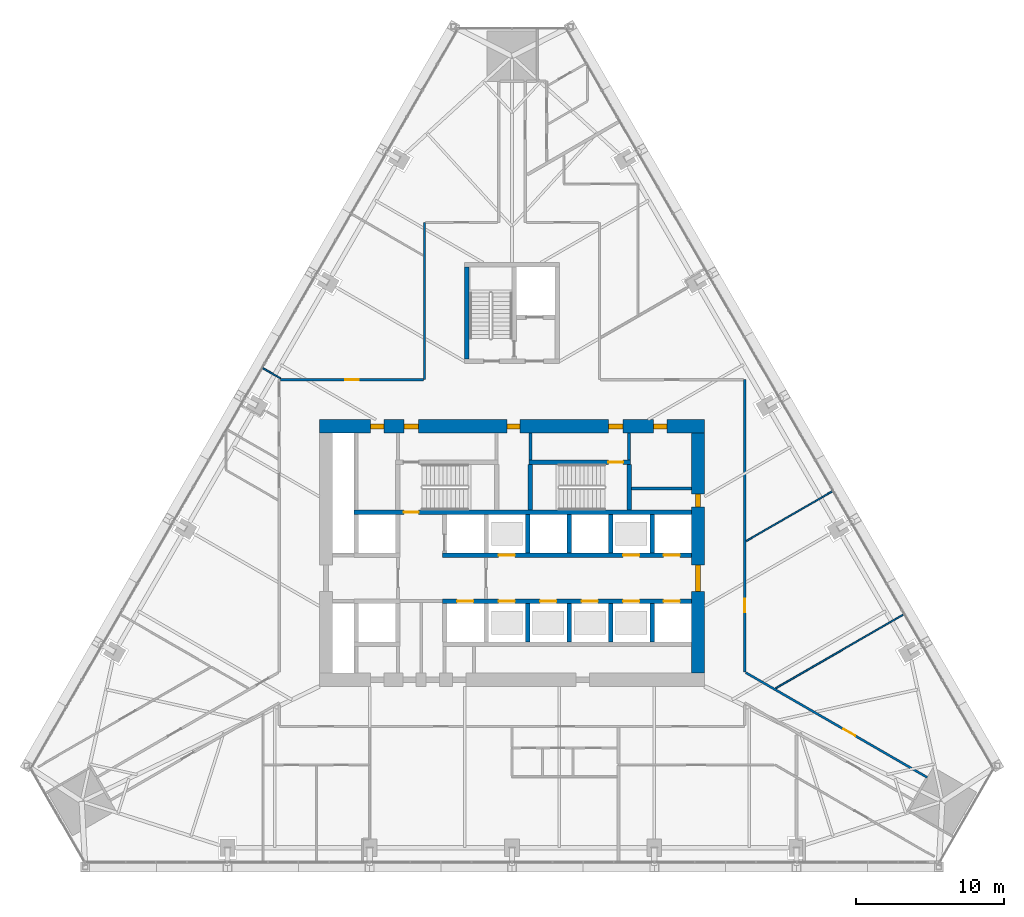
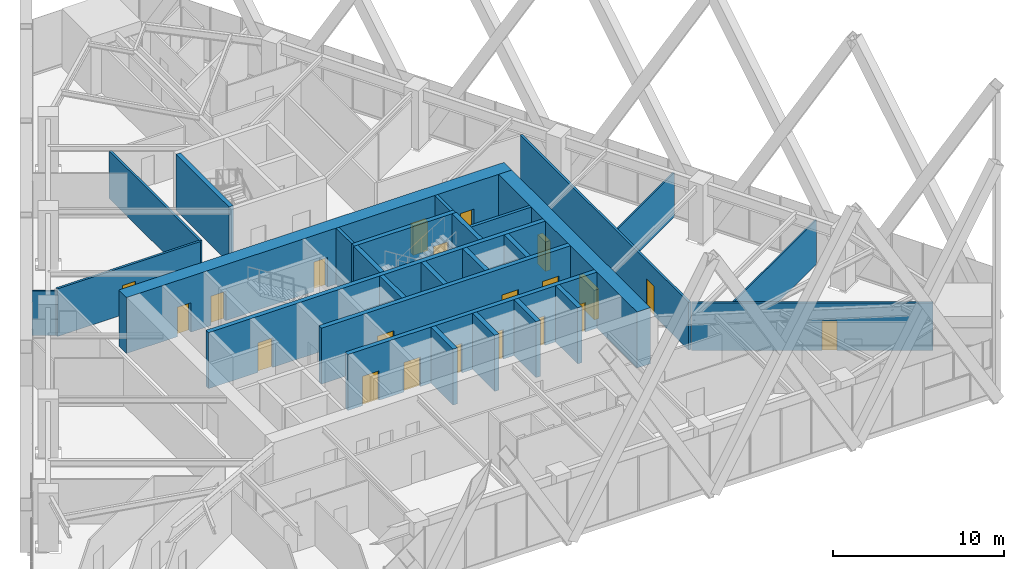
# One storey, part 19 of 26: 27 walls, 21 doors, 21 openings.
"""IFC4 building model written with IfcOpenShell, lengths in metres."""

from ifc_helpers import new_model, si_unit, direction, frame, frame_2d, origin, place, context, subcontext, project, spatial, rectangle, extrude, material, layer, layer_set, type_object, element, fill, save


model = new_model("IFC4")

# Units and contexts
model_context = context("Model", 3, precision=1e-05, world=origin(), true_north=direction((0.0, 1.0)))
body_context = subcontext(model_context, "Body", "Model", "MODEL_VIEW")
ifc_project = project(units=[si_unit("LENGTHUNIT", "METRE"), si_unit("AREAUNIT", "SQUARE_METRE"), si_unit("VOLUMEUNIT", "CUBIC_METRE"), si_unit("PLANEANGLEUNIT", "RADIAN"), si_unit("MASSUNIT", "GRAM", prefix="KILO")], contexts=[model_context])

# Site, building, storey
site_placement = place(None, origin())
site = spatial("IfcSite", under=ifc_project, at=site_placement, CompositionType="ELEMENT")
building_placement = place(site_placement, origin())
building = spatial("IfcBuilding", under=site, at=building_placement, Name="Firuza Gate Tower and Library", CompositionType="ELEMENT")
storey_placement = place(building_placement, frame((0.0, 0.0, 40.0)))
storey = spatial("IfcBuildingStorey", under=building, at=storey_placement, Name="L08", CompositionType="ELEMENT", Elevation=40.0)

# Walls
ifc_material_1 = material(Name="Plasterboard on steel studs", Category="steel")
ifc_layer_1 = layer(ifc_material_1, 0.199951171875)
ifc_layer_set_1 = layer_set([ifc_layer_1], Name="Core partition 200 EI 120")
wall_type_1 = type_object("IfcWallType", Name="Core partition 200 EI 120", PredefinedType="PARTITIONING", material=ifc_layer_set_1)
wall_1_placement = place(storey_placement, frame((83.050048828125, 79.35498046875, 0.0), z_axis=(0.0, 0.0, 1.0), x_axis=(1.0, 0.0, 0.0)))
element("IfcWall", 1, at=wall_1_placement, inside=storey, type_object=wall_type_1, Name="Core partition L08 4", PredefinedType="PARTITIONING", context=body_context, shape_type="SweptSolid", body=[
    extrude(rectangle(XDim=4.050048828125, YDim=0.199951171875, at=frame_2d((2.02490234375, 0.0))), origin(), (0.0, 0.0, 1.0), 4.0),
])
for number, where, z_axis, x_axis, name in (
    (2, (76.239990234375, 81.280029296875, 0.0), (0.0, 0.0, 1.0), (0.0, 1.0, 0.0), "Core partition L08 15"),
    (3, (82.89990234375, 81.280029296875, 0.0), (0.0, 0.0, 1.0), (0.0, 1.0, 0.0), "Core partition L08 16"),
):
    element("IfcWall", number, at=place(storey_placement, frame(where, z_axis=z_axis, x_axis=x_axis)), inside=storey, type_object=wall_type_1, Name=name, PredefinedType="PARTITIONING", context=body_context, shape_type="SweptSolid", body=[
        extrude(rectangle(XDim=1.820068359375, YDim=0.199951171875, at=frame_2d((0.91015625, 0.0))), origin(), (0.0, 0.0, 1.0), 4.0),
    ])

# Wall, openings, doors
ifc_material_2 = material(Name="Concrete C80/95", Category="concrete")
ifc_layer_2 = layer(ifc_material_2, 0.300048828125)
ifc_layer_set_2 = layer_set([ifc_layer_2], Name="Core wall 300 C80/95")
wall_type_2 = type_object("IfcWallType", Name="Core wall 300 C80/95", PredefinedType="SHEAR", material=ifc_layer_set_2)
wall_2_placement = place(storey_placement, frame((70.300048828125, 71.75, 0.0), z_axis=(0.0, 0.0, 1.0), x_axis=(1.0, 0.0, 0.0)))
wall_2 = element("IfcWall", 4, at=wall_2_placement, inside=storey, type_object=wall_type_2, Name="Core wall L08 8", PredefinedType="SHEAR", context=body_context, shape_type="SweptSolid", body=[
    extrude(rectangle(XDim=16.800048828125, YDim=0.300048828125, at=frame_2d((8.39990234375, 0.0))), origin(), (0.0, 0.0, 1.0), 4.0),
])
opening_1_placement = place(wall_2_placement, frame((1.0, 0.0, 0.0)))
opening_1 = element("IfcOpeningElement", 5, at=opening_1_placement, cuts=wall_2, Name="Opening LD-FF1-L08", PredefinedType="OPENING", context=body_context, shape_type="SweptSolid", body=[
    extrude(rectangle(XDim=1.10009765625, YDim=2.10009765625, at=frame_2d((0.550048828125, 1.050048828125))), frame((0.0, 0.16015625, 0.0), z_axis=(0.0, -1.0, 0.0), x_axis=(1.0, 0.0, 0.0)), (0.0, 0.0, 1.0), 0.320068359375),
])
opening_2_placement = place(wall_2_placement, frame((3.800048828125, 0.0, 0.0)))
opening_2 = element("IfcOpeningElement", 6, at=opening_2_placement, cuts=wall_2, Name="Opening LD-LR1-L08", PredefinedType="OPENING", context=body_context, shape_type="SweptSolid", body=[
    extrude(rectangle(XDim=1.10009765625, YDim=2.10009765625, at=frame_2d((0.550048828125, 1.050048828125))), frame((0.0, 0.16015625, 0.0), z_axis=(0.0, -1.0, 0.0), x_axis=(1.0, 0.0, 0.0)), (0.0, 0.0, 1.0), 0.320068359375),
])
opening_3_placement = place(wall_2_placement, frame((6.60009765625, 0.0, 0.0)))
opening_3 = element("IfcOpeningElement", 7, at=opening_3_placement, cuts=wall_2, Name="Opening LD-LR2-L08", PredefinedType="OPENING", context=body_context, shape_type="SweptSolid", body=[
    extrude(rectangle(XDim=1.10009765625, YDim=2.10009765625, at=frame_2d((0.550048828125, 1.050048828125))), frame((0.0, 0.16015625, 0.0), z_axis=(0.0, -1.0, 0.0), x_axis=(1.0, 0.0, 0.0)), (0.0, 0.0, 1.0), 0.320068359375),
])
opening_4_placement = place(wall_2_placement, frame((9.39990234375, 0.0, 0.0)))
opening_4 = element("IfcOpeningElement", 8, at=opening_4_placement, cuts=wall_2, Name="Opening LD-LR3-L08", PredefinedType="OPENING", context=body_context, shape_type="SweptSolid", body=[
    extrude(rectangle(XDim=1.10009765625, YDim=2.10009765625, at=frame_2d((0.550048828125, 1.050048828125))), frame((0.0, 0.16015625, 0.0), z_axis=(0.0, -1.0, 0.0), x_axis=(1.0, 0.0, 0.0)), (0.0, 0.0, 1.0), 0.320068359375),
])
opening_5_placement = place(wall_2_placement, frame((12.199951171875, 0.0, 0.0)))
opening_5 = element("IfcOpeningElement", 9, at=opening_5_placement, cuts=wall_2, Name="Opening LD-LR5-L08", PredefinedType="OPENING", context=body_context, shape_type="SweptSolid", body=[
    extrude(rectangle(XDim=1.10009765625, YDim=2.10009765625, at=frame_2d((0.550048828125, 1.050048828125))), frame((0.0, 0.16015625, 0.0), z_axis=(0.0, -1.0, 0.0), x_axis=(1.0, 0.0, 0.0)), (0.0, 0.0, 1.0), 0.320068359375),
])
opening_6_placement = place(wall_2_placement, frame((14.925048828125, 0.0, 0.0)))
opening_6 = element("IfcOpeningElement", 10, at=opening_6_placement, cuts=wall_2, Name="Opening LD-LR7-L08", PredefinedType="OPENING", context=body_context, shape_type="SweptSolid", body=[
    extrude(rectangle(XDim=1.10009765625, YDim=2.10009765625, at=frame_2d((0.550048828125, 1.050048828125))), frame((0.0, 0.16015625, 0.0), z_axis=(0.0, -1.0, 0.0), x_axis=(1.0, 0.0, 0.0)), (0.0, 0.0, 1.0), 0.320068359375),
])
ifc_material_3 = material(Name="Stainless steel", Category="steel")
door_type_1 = type_object("IfcDoorType", Name="Lift landing door 1100x2100", OperationType="DOUBLE_DOOR_SLIDING", PredefinedType="DOOR", material=ifc_material_3)
door_1_placement = place(opening_1_placement, origin())
door_1 = element("IfcDoor", 11, at=door_1_placement, inside=storey, type_object=door_type_1, Name="Landing door FF1 L08", OperationType="DOUBLE_DOOR_SLIDING", OverallHeight=2.10009765625, OverallWidth=1.10009765625, PredefinedType="DOOR", context=body_context, shape_type="SweptSolid", body=[
    extrude(rectangle(XDim=1.10009765625, YDim=2.10009765625, at=frame_2d((0.550048828125, 1.050048828125))), frame((0.0, 0.02490234375, 0.0), z_axis=(0.0, -1.0, 0.0), x_axis=(1.0, 0.0, 0.0)), (0.0, 0.0, 1.0), 0.050048828125),
])
fill(opening_1, door_1)
door_2_placement = place(opening_2_placement, origin())
door_2 = element("IfcDoor", 12, at=door_2_placement, inside=storey, type_object=door_type_1, Name="Landing door LR1 L08", OperationType="DOUBLE_DOOR_SLIDING", OverallHeight=2.10009765625, OverallWidth=1.10009765625, PredefinedType="DOOR", context=body_context, shape_type="SweptSolid", body=[
    extrude(rectangle(XDim=1.10009765625, YDim=2.10009765625, at=frame_2d((0.550048828125, 1.050048828125))), frame((0.0, 0.02490234375, 0.0), z_axis=(0.0, -1.0, 0.0), x_axis=(1.0, 0.0, 0.0)), (0.0, 0.0, 1.0), 0.050048828125),
])
fill(opening_2, door_2)
door_3_placement = place(opening_3_placement, origin())
door_3 = element("IfcDoor", 13, at=door_3_placement, inside=storey, type_object=door_type_1, Name="Landing door LR2 L08", OperationType="DOUBLE_DOOR_SLIDING", OverallHeight=2.10009765625, OverallWidth=1.10009765625, PredefinedType="DOOR", context=body_context, shape_type="SweptSolid", body=[
    extrude(rectangle(XDim=1.10009765625, YDim=2.10009765625, at=frame_2d((0.550048828125, 1.050048828125))), frame((0.0, 0.02490234375, 0.0), z_axis=(0.0, -1.0, 0.0), x_axis=(1.0, 0.0, 0.0)), (0.0, 0.0, 1.0), 0.050048828125),
])
fill(opening_3, door_3)
door_4_placement = place(opening_4_placement, origin())
door_4 = element("IfcDoor", 14, at=door_4_placement, inside=storey, type_object=door_type_1, Name="Landing door LR3 L08", OperationType="DOUBLE_DOOR_SLIDING", OverallHeight=2.10009765625, OverallWidth=1.10009765625, PredefinedType="DOOR", context=body_context, shape_type="SweptSolid", body=[
    extrude(rectangle(XDim=1.10009765625, YDim=2.10009765625, at=frame_2d((0.550048828125, 1.050048828125))), frame((0.0, 0.02490234375, 0.0), z_axis=(0.0, -1.0, 0.0), x_axis=(1.0, 0.0, 0.0)), (0.0, 0.0, 1.0), 0.050048828125),
])
fill(opening_4, door_4)
door_5_placement = place(opening_5_placement, origin())
door_5 = element("IfcDoor", 15, at=door_5_placement, inside=storey, type_object=door_type_1, Name="Landing door LR5 L08", OperationType="DOUBLE_DOOR_SLIDING", OverallHeight=2.10009765625, OverallWidth=1.10009765625, PredefinedType="DOOR", context=body_context, shape_type="SweptSolid", body=[
    extrude(rectangle(XDim=1.10009765625, YDim=2.10009765625, at=frame_2d((0.550048828125, 1.050048828125))), frame((0.0, 0.02490234375, 0.0), z_axis=(0.0, -1.0, 0.0), x_axis=(1.0, 0.0, 0.0)), (0.0, 0.0, 1.0), 0.050048828125),
])
fill(opening_5, door_5)
door_6_placement = place(opening_6_placement, origin())
door_6 = element("IfcDoor", 16, at=door_6_placement, inside=storey, type_object=door_type_1, Name="Landing door LR7 L08", OperationType="DOUBLE_DOOR_SLIDING", OverallHeight=2.10009765625, OverallWidth=1.10009765625, PredefinedType="DOOR", context=body_context, shape_type="SweptSolid", body=[
    extrude(rectangle(XDim=1.10009765625, YDim=2.10009765625, at=frame_2d((0.550048828125, 1.050048828125))), frame((0.0, 0.02490234375, 0.0), z_axis=(0.0, -1.0, 0.0), x_axis=(1.0, 0.0, 0.0)), (0.0, 0.0, 1.0), 0.050048828125),
])
fill(opening_6, door_6)

wall_3_placement = place(storey_placement, frame((70.300048828125, 74.85009765625, 0.0), z_axis=(0.0, 0.0, 1.0), x_axis=(1.0, 0.0, 0.0)))
wall_3 = element("IfcWall", 17, at=wall_3_placement, inside=storey, type_object=wall_type_2, Name="Core wall L08 10", PredefinedType="SHEAR", context=body_context, shape_type="SweptSolid", body=[
    extrude(rectangle(XDim=16.800048828125, YDim=0.300048828125, at=frame_2d((8.39990234375, 0.0))), origin(), (0.0, 0.0, 1.0), 4.0),
])
opening_7_placement = place(wall_3_placement, frame((3.800048828125, 0.0, 0.0)))
opening_7 = element("IfcOpeningElement", 18, at=opening_7_placement, cuts=wall_3, Name="Opening LD-LR4-L08", PredefinedType="OPENING", context=body_context, shape_type="SweptSolid", body=[
    extrude(rectangle(XDim=1.10009765625, YDim=2.10009765625, at=frame_2d((0.550048828125, 1.050048828125))), frame((0.0, 0.16015625, 0.0), z_axis=(0.0, -1.0, 0.0), x_axis=(1.0, 0.0, 0.0)), (0.0, 0.0, 1.0), 0.320068359375),
])
opening_8_placement = place(wall_3_placement, frame((12.199951171875, 0.0, 0.0)))
opening_8 = element("IfcOpeningElement", 19, at=opening_8_placement, cuts=wall_3, Name="Opening LD-LR6-L08", PredefinedType="OPENING", context=body_context, shape_type="SweptSolid", body=[
    extrude(rectangle(XDim=1.10009765625, YDim=2.10009765625, at=frame_2d((0.550048828125, 1.050048828125))), frame((0.0, 0.16015625, 0.0), z_axis=(0.0, -1.0, 0.0), x_axis=(1.0, 0.0, 0.0)), (0.0, 0.0, 1.0), 0.320068359375),
])
opening_9_placement = place(wall_3_placement, frame((14.925048828125, 0.0, 0.0)))
opening_9 = element("IfcOpeningElement", 20, at=opening_9_placement, cuts=wall_3, Name="Opening LD-LR8-L08", PredefinedType="OPENING", context=body_context, shape_type="SweptSolid", body=[
    extrude(rectangle(XDim=1.10009765625, YDim=2.10009765625, at=frame_2d((0.550048828125, 1.050048828125))), frame((0.0, 0.16015625, 0.0), z_axis=(0.0, -1.0, 0.0), x_axis=(1.0, 0.0, 0.0)), (0.0, 0.0, 1.0), 0.320068359375),
])
door_7_placement = place(opening_7_placement, origin())
door_7 = element("IfcDoor", 21, at=door_7_placement, inside=storey, type_object=door_type_1, Name="Landing door LR4 L08", OperationType="DOUBLE_DOOR_SLIDING", OverallHeight=2.10009765625, OverallWidth=1.10009765625, PredefinedType="DOOR", context=body_context, shape_type="SweptSolid", body=[
    extrude(rectangle(XDim=1.10009765625, YDim=2.10009765625, at=frame_2d((0.550048828125, 1.050048828125))), frame((0.0, 0.02490234375, 0.0), z_axis=(0.0, -1.0, 0.0), x_axis=(1.0, 0.0, 0.0)), (0.0, 0.0, 1.0), 0.050048828125),
])
fill(opening_7, door_7)
door_8_placement = place(opening_8_placement, origin())
door_8 = element("IfcDoor", 22, at=door_8_placement, inside=storey, type_object=door_type_1, Name="Landing door LR6 L08", OperationType="DOUBLE_DOOR_SLIDING", OverallHeight=2.10009765625, OverallWidth=1.10009765625, PredefinedType="DOOR", context=body_context, shape_type="SweptSolid", body=[
    extrude(rectangle(XDim=1.10009765625, YDim=2.10009765625, at=frame_2d((0.550048828125, 1.050048828125))), frame((0.0, 0.02490234375, 0.0), z_axis=(0.0, -1.0, 0.0), x_axis=(1.0, 0.0, 0.0)), (0.0, 0.0, 1.0), 0.050048828125),
])
fill(opening_8, door_8)
door_9_placement = place(opening_9_placement, origin())
door_9 = element("IfcDoor", 23, at=door_9_placement, inside=storey, type_object=door_type_1, Name="Landing door LR8 L08", OperationType="DOUBLE_DOOR_SLIDING", OverallHeight=2.10009765625, OverallWidth=1.10009765625, PredefinedType="DOOR", context=body_context, shape_type="SweptSolid", body=[
    extrude(rectangle(XDim=1.10009765625, YDim=2.10009765625, at=frame_2d((0.550048828125, 1.050048828125))), frame((0.0, 0.02490234375, 0.0), z_axis=(0.0, -1.0, 0.0), x_axis=(1.0, 0.0, 0.0)), (0.0, 0.0, 1.0), 0.050048828125),
])
fill(opening_9, door_9)

# Walls
for number, where, z_axis, x_axis, name in (
    (24, (76.050048828125, 69.0, 0.0), (0.0, 0.0, 1.0), (0.0, 1.0, 0.0), "Core wall L08 19"),
    (25, (76.050048828125, 75.0, 0.0), (0.0, 0.0, 1.0), (0.0, 1.0, 0.0), "Core wall L08 20"),
    (26, (78.85009765625, 69.0, 0.0), (0.0, 0.0, 1.0), (0.0, 1.0, 0.0), "Core wall L08 21"),
    (27, (78.85009765625, 75.0, 0.0), (0.0, 0.0, 1.0), (0.0, 1.0, 0.0), "Core wall L08 22"),
    (28, (81.64990234375, 69.0, 0.0), (0.0, 0.0, 1.0), (0.0, 1.0, 0.0), "Core wall L08 23"),
    (29, (81.64990234375, 75.0, 0.0), (0.0, 0.0, 1.0), (0.0, 1.0, 0.0), "Core wall L08 24"),
    (30, (84.449951171875, 69.0, 0.0), (0.0, 0.0, 1.0), (0.0, 1.0, 0.0), "Core wall L08 25"),
    (31, (84.449951171875, 75.0, 0.0), (0.0, 0.0, 1.0), (0.0, 1.0, 0.0), "Core wall L08 26"),
):
    element("IfcWall", number, at=place(storey_placement, frame(where, z_axis=z_axis, x_axis=x_axis)), inside=storey, type_object=wall_type_2, Name=name, PredefinedType="SHEAR", context=body_context, shape_type="SweptSolid", body=[
        extrude(rectangle(XDim=2.60009765625, YDim=0.300048828125, at=frame_2d((1.300048828125, 0.0))), origin(), (0.0, 0.0, 1.0), 4.0),
    ])

# Wall, opening, door
wall_4_placement = place(storey_placement, frame((64.35009765625, 77.75, 0.0), z_axis=(0.0, 0.0, 1.0), x_axis=(1.0, 0.0, 0.0)))
wall_4 = element("IfcWall", 32, at=wall_4_placement, inside=storey, type_object=wall_type_2, Name="Core wall L08 27", PredefinedType="SHEAR", context=body_context, shape_type="SweptSolid", body=[
    extrude(rectangle(XDim=22.75, YDim=0.300048828125, at=frame_2d((11.375, 0.0))), origin(), (0.0, 0.0, 1.0), 4.0),
])
opening_10_placement = place(wall_4_placement, frame((3.344970703125, 0.0, 0.0)))
opening_10 = element("IfcOpeningElement", 33, at=opening_10_placement, cuts=wall_4, Name="Opening L08-K12", PredefinedType="OPENING", context=body_context, shape_type="SweptSolid", body=[
    extrude(rectangle(XDim=1.0, YDim=2.10009765625, at=frame_2d((0.5, 1.050048828125))), frame((0.0, 0.16015625, 0.0), z_axis=(0.0, -1.0, 0.0), x_axis=(1.0, 0.0, 0.0)), (0.0, 0.0, 1.0), 0.320068359375),
])
ifc_material_4 = material(Name="Steel", Category="steel")
door_type_2 = type_object("IfcDoorType", Name="Fire door 1000x2100 FD90", OperationType="NOTDEFINED", PredefinedType="DOOR", material=ifc_material_4)
door_10_placement = place(opening_10_placement, origin())
door_10 = element("IfcDoor", 34, at=door_10_placement, inside=storey, type_object=door_type_2, Name="Door L08-K12", OperationType="SINGLE_SWING_LEFT", OverallHeight=2.10009765625, OverallWidth=1.0, PredefinedType="DOOR", context=body_context, shape_type="SweptSolid", body=[
    extrude(rectangle(XDim=1.0, YDim=2.10009765625, at=frame_2d((0.5, 1.050048828125))), frame((0.0, 0.02490234375, 0.0), z_axis=(0.0, -1.0, 0.0), x_axis=(1.0, 0.0, 0.0)), (0.0, 0.0, 1.0), 0.050048828125),
])
fill(opening_10, door_10)

wall_5_placement = place(storey_placement, frame((76.139892578125, 81.1298828125, 0.0), z_axis=(0.0, 0.0, 1.0), x_axis=(1.0, 0.0, 0.0)))
wall_5 = element("IfcWall", 35, at=wall_5_placement, inside=storey, type_object=wall_type_2, Name="Core wall L08 29", PredefinedType="SHEAR", context=body_context, shape_type="SweptSolid", body=[
    extrude(rectangle(XDim=6.860107421875, YDim=0.300048828125, at=frame_2d((3.43017578125, 0.0))), origin(), (0.0, 0.0, 1.0), 4.0),
])
opening_11_placement = place(wall_5_placement, frame((5.364990234375, 0.0, 0.0)))
opening_11 = element("IfcOpeningElement", 36, at=opening_11_placement, cuts=wall_5, Name="Opening L08-K15", PredefinedType="OPENING", context=body_context, shape_type="SweptSolid", body=[
    extrude(rectangle(XDim=1.0, YDim=2.10009765625, at=frame_2d((0.5, 1.050048828125))), frame((0.0, 0.16015625, 0.0), z_axis=(0.0, -1.0, 0.0), x_axis=(1.0, 0.0, 0.0)), (0.0, 0.0, 1.0), 0.320068359375),
])
door_11_placement = place(opening_11_placement, origin())
door_11 = element("IfcDoor", 37, at=door_11_placement, inside=storey, type_object=door_type_2, Name="Door L08-K15", OperationType="SINGLE_SWING_RIGHT", OverallHeight=2.10009765625, OverallWidth=1.0, PredefinedType="DOOR", context=body_context, shape_type="SweptSolid", body=[
    extrude(rectangle(XDim=1.0, YDim=2.10009765625, at=frame_2d((0.5, 1.050048828125))), frame((0.0, 0.02490234375, 0.0), z_axis=(0.0, -1.0, 0.0), x_axis=(1.0, 0.0, 0.0)), (0.0, 0.0, 1.0), 0.050048828125),
])
fill(opening_11, door_11)

# Walls
for number, where, z_axis, x_axis, name in (
    (38, (76.239990234375, 77.89990234375, 0.0), (0.0, 0.0, 1.0), (0.0, 1.0, 0.0), "Core wall L08 32"),
    (39, (82.89990234375, 77.89990234375, 0.0), (0.0, 0.0, 1.0), (0.0, 1.0, 0.0), "Core wall L08 33"),
):
    element("IfcWall", number, at=place(storey_placement, frame(where, z_axis=z_axis, x_axis=x_axis)), inside=storey, type_object=wall_type_2, Name=name, PredefinedType="SHEAR", context=body_context, shape_type="SweptSolid", body=[
        extrude(rectangle(XDim=3.080078125, YDim=0.300048828125, at=frame_2d((1.5400390625, 0.0))), origin(), (0.0, 0.0, 1.0), 4.0),
    ])
wall_6_placement = place(storey_placement, frame((71.949951171875, 88.10009765625, 0.0), z_axis=(0.0, 0.0, 1.0), x_axis=(0.0, 1.0, 0.0)))
element("IfcWall", 40, at=wall_6_placement, inside=storey, type_object=wall_type_2, Name="Core wall L08 36", PredefinedType="SHEAR", context=body_context, shape_type="SweptSolid", body=[
    extrude(rectangle(XDim=6.199951171875, YDim=0.300048828125, at=frame_2d((3.10009765625, 0.0))), origin(), (0.0, 0.0, 1.0), 4.0),
])

# Wall, openings, doors
ifc_material_5 = material(Name="Concrete C80/95", Category="concrete")
ifc_layer_3 = layer(ifc_material_5, 0.89990234375)
ifc_layer_set_3 = layer_set([ifc_layer_3], Name="Core wall 900 C80/95")
wall_type_3 = type_object("IfcWallType", Name="Core wall 900 C80/95", PredefinedType="SHEAR", material=ifc_layer_set_3)
wall_7_placement = place(storey_placement, frame((62.0, 83.550048828125, 0.0), z_axis=(0.0, 0.0, 1.0), x_axis=(1.0, 0.0, 0.0)))
wall_7 = element("IfcWall", 41, at=wall_7_placement, inside=storey, type_object=wall_type_3, Name="Core wall L08 2", PredefinedType="SHEAR", context=body_context, shape_type="SweptSolid", body=[
    extrude(rectangle(XDim=26.0, YDim=0.89990234375, at=frame_2d((13.0, 0.0))), origin(), (0.0, 0.0, 1.0), 4.0),
])
opening_12_placement = place(wall_7_placement, frame((5.695068359375, 0.0, 0.0)))
opening_12 = element("IfcOpeningElement", 42, at=opening_12_placement, cuts=wall_7, Name="Opening L08-K14", PredefinedType="OPENING", context=body_context, shape_type="SweptSolid", body=[
    extrude(rectangle(XDim=1.0, YDim=2.10009765625, at=frame_2d((0.5, 1.050048828125))), frame((0.0, 0.4599609375, 0.0), z_axis=(0.0, -1.0, 0.0), x_axis=(1.0, 0.0, 0.0)), (0.0, 0.0, 1.0), 0.919921875),
])
opening_13_placement = place(wall_7_placement, frame((19.5048828125, 0.0, 0.0)))
opening_13 = element("IfcOpeningElement", 43, at=opening_13_placement, cuts=wall_7, Name="Opening L08-K16", PredefinedType="OPENING", context=body_context, shape_type="SweptSolid", body=[
    extrude(rectangle(XDim=1.0, YDim=2.10009765625, at=frame_2d((0.5, 1.050048828125))), frame((0.0, 0.4599609375, 0.0), z_axis=(0.0, -1.0, 0.0), x_axis=(1.0, 0.0, 0.0)), (0.0, 0.0, 1.0), 0.919921875),
])
opening_14_placement = place(wall_7_placement, frame((3.449951171875, 0.0, 0.0)))
opening_14 = element("IfcOpeningElement", 44, at=opening_14_placement, cuts=wall_7, Name="Opening L08-K29", PredefinedType="OPENING", context=body_context, shape_type="SweptSolid", body=[
    extrude(rectangle(XDim=0.89990234375, YDim=2.10009765625, at=frame_2d((0.449951171875, 1.050048828125))), frame((0.0, 0.4599609375, 0.0), z_axis=(0.0, -1.0, 0.0), x_axis=(1.0, 0.0, 0.0)), (0.0, 0.0, 1.0), 0.919921875),
])
opening_15_placement = place(wall_7_placement, frame((12.64990234375, 0.0, 0.0)))
opening_15 = element("IfcOpeningElement", 45, at=opening_15_placement, cuts=wall_7, Name="Opening L08-K30", PredefinedType="OPENING", context=body_context, shape_type="SweptSolid", body=[
    extrude(rectangle(XDim=0.89990234375, YDim=2.10009765625, at=frame_2d((0.449951171875, 1.050048828125))), frame((0.0, 0.4599609375, 0.0), z_axis=(0.0, -1.0, 0.0), x_axis=(1.0, 0.0, 0.0)), (0.0, 0.0, 1.0), 0.919921875),
])
opening_16_placement = place(wall_7_placement, frame((22.550048828125, 0.0, 0.0)))
opening_16 = element("IfcOpeningElement", 46, at=opening_16_placement, cuts=wall_7, Name="Opening L08-K32", PredefinedType="OPENING", context=body_context, shape_type="SweptSolid", body=[
    extrude(rectangle(XDim=0.89990234375, YDim=2.10009765625, at=frame_2d((0.449951171875, 1.050048828125))), frame((0.0, 0.4599609375, 0.0), z_axis=(0.0, -1.0, 0.0), x_axis=(1.0, 0.0, 0.0)), (0.0, 0.0, 1.0), 0.919921875),
])
door_12_placement = place(opening_12_placement, origin())
door_12 = element("IfcDoor", 47, at=door_12_placement, inside=storey, type_object=door_type_2, Name="Door L08-K14", OperationType="SINGLE_SWING_LEFT", OverallHeight=2.10009765625, OverallWidth=1.0, PredefinedType="DOOR", context=body_context, shape_type="SweptSolid", body=[
    extrude(rectangle(XDim=1.0, YDim=2.10009765625, at=frame_2d((0.5, 1.050048828125))), frame((0.0, 0.169921875, 0.0), z_axis=(0.0, -1.0, 0.0), x_axis=(1.0, 0.0, 0.0)), (0.0, 0.0, 1.0), 0.33984375),
])
fill(opening_12, door_12)
door_13_placement = place(opening_13_placement, origin())
door_13 = element("IfcDoor", 48, at=door_13_placement, inside=storey, type_object=door_type_2, Name="Door L08-K16", OperationType="SINGLE_SWING_LEFT", OverallHeight=2.10009765625, OverallWidth=1.0, PredefinedType="DOOR", context=body_context, shape_type="SweptSolid", body=[
    extrude(rectangle(XDim=1.0, YDim=2.10009765625, at=frame_2d((0.5, 1.050048828125))), frame((0.0, 0.169921875, 0.0), z_axis=(0.0, -1.0, 0.0), x_axis=(1.0, 0.0, 0.0)), (0.0, 0.0, 1.0), 0.33984375),
])
fill(opening_13, door_13)
ifc_material_6 = material(Name="Steel", Category="steel")
door_type_3 = type_object("IfcDoorType", Name="Fire door 900x2100 FD30S", OperationType="NOTDEFINED", PredefinedType="DOOR", material=ifc_material_6)
door_14_placement = place(opening_14_placement, origin())
door_14 = element("IfcDoor", 49, at=door_14_placement, inside=storey, type_object=door_type_3, Name="Door L08-K29", OperationType="SINGLE_SWING_RIGHT", OverallHeight=2.10009765625, OverallWidth=0.89990234375, PredefinedType="DOOR", context=body_context, shape_type="SweptSolid", body=[
    extrude(rectangle(XDim=0.89990234375, YDim=2.10009765625, at=frame_2d((0.449951171875, 1.050048828125))), frame((0.0, 0.169921875, 0.0), z_axis=(0.0, -1.0, 0.0), x_axis=(1.0, 0.0, 0.0)), (0.0, 0.0, 1.0), 0.33984375),
])
fill(opening_14, door_14)
door_15_placement = place(opening_15_placement, origin())
door_15 = element("IfcDoor", 50, at=door_15_placement, inside=storey, type_object=door_type_3, Name="Door L08-K30", OperationType="SINGLE_SWING_LEFT", OverallHeight=2.10009765625, OverallWidth=0.89990234375, PredefinedType="DOOR", context=body_context, shape_type="SweptSolid", body=[
    extrude(rectangle(XDim=0.89990234375, YDim=2.10009765625, at=frame_2d((0.449951171875, 1.050048828125))), frame((0.0, 0.169921875, 0.0), z_axis=(0.0, -1.0, 0.0), x_axis=(1.0, 0.0, 0.0)), (0.0, 0.0, 1.0), 0.33984375),
])
fill(opening_15, door_15)
door_16_placement = place(opening_16_placement, origin())
door_16 = element("IfcDoor", 51, at=door_16_placement, inside=storey, type_object=door_type_3, Name="Door L08-K32", OperationType="SINGLE_SWING_LEFT", OverallHeight=2.10009765625, OverallWidth=0.89990234375, PredefinedType="DOOR", context=body_context, shape_type="SweptSolid", body=[
    extrude(rectangle(XDim=0.89990234375, YDim=2.10009765625, at=frame_2d((0.449951171875, 1.050048828125))), frame((0.0, 0.169921875, 0.0), z_axis=(0.0, -1.0, 0.0), x_axis=(1.0, 0.0, 0.0)), (0.0, 0.0, 1.0), 0.33984375),
])
fill(opening_16, door_16)

wall_8_placement = place(storey_placement, frame((87.550048828125, 66.89990234375, 0.0), z_axis=(0.0, 0.0, 1.0), x_axis=(0.0, 1.0, 0.0)))
wall_8 = element("IfcWall", 52, at=wall_8_placement, inside=storey, type_object=wall_type_3, Name="Core wall L08 4", PredefinedType="SHEAR", context=body_context, shape_type="SweptSolid", body=[
    extrude(rectangle(XDim=16.2001953125, YDim=0.89990234375, at=frame_2d((8.10009765625, 0.0))), origin(), (0.0, 0.0, 1.0), 4.0),
])
opening_17_placement = place(wall_8_placement, frame((5.5, 0.0, 0.0)))
opening_17 = element("IfcOpeningElement", 53, at=opening_17_placement, cuts=wall_8, Name="Opening L08-K23", PredefinedType="OPENING", context=body_context, shape_type="SweptSolid", body=[
    extrude(rectangle(XDim=1.800048828125, YDim=2.10009765625, at=frame_2d((0.89990234375, 1.050048828125))), frame((0.0, 0.4599609375, 0.0), z_axis=(0.0, -1.0, 0.0), x_axis=(1.0, 0.0, 0.0)), (0.0, 0.0, 1.0), 0.919921875),
])
opening_18_placement = place(wall_8_placement, frame((11.202392578125, 0.0, 0.0)))
opening_18 = element("IfcOpeningElement", 54, at=opening_18_placement, cuts=wall_8, Name="Opening L08-K31", PredefinedType="OPENING", context=body_context, shape_type="SweptSolid", body=[
    extrude(rectangle(XDim=0.89990234375, YDim=2.10009765625, at=frame_2d((0.449951171875, 1.050048828125))), frame((0.0, 0.4599609375, 0.0), z_axis=(0.0, -1.0, 0.0), x_axis=(1.0, 0.0, 0.0)), (0.0, 0.0, 1.0), 0.919921875),
])
ifc_material_7 = material(Name="Steel", Category="steel")
door_type_4 = type_object("IfcDoorType", Name="Fire door 1800x2100 FD30S", OperationType="NOTDEFINED", PredefinedType="DOOR", material=ifc_material_7)
door_17_placement = place(opening_17_placement, origin())
door_17 = element("IfcDoor", 55, at=door_17_placement, inside=storey, type_object=door_type_4, Name="Door L08-K23", OperationType="SINGLE_SWING_RIGHT", OverallHeight=2.10009765625, OverallWidth=1.800048828125, PredefinedType="DOOR", context=body_context, shape_type="SweptSolid", body=[
    extrude(rectangle(XDim=1.800048828125, YDim=2.10009765625, at=frame_2d((0.89990234375, 1.050048828125))), frame((0.0, 0.169921875, 0.0), z_axis=(0.0, -1.0, 0.0), x_axis=(1.0, 0.0, 0.0)), (0.0, 0.0, 1.0), 0.33984375),
])
fill(opening_17, door_17)
door_18_placement = place(opening_18_placement, origin())
door_18 = element("IfcDoor", 56, at=door_18_placement, inside=storey, type_object=door_type_3, Name="Door L08-K31", OperationType="SINGLE_SWING_RIGHT", OverallHeight=2.10009765625, OverallWidth=0.89990234375, PredefinedType="DOOR", context=body_context, shape_type="SweptSolid", body=[
    extrude(rectangle(XDim=0.89990234375, YDim=2.10009765625, at=frame_2d((0.449951171875, 1.050048828125))), frame((0.0, 0.169921875, 0.0), z_axis=(0.0, -1.0, 0.0), x_axis=(1.0, 0.0, 0.0)), (0.0, 0.0, 1.0), 0.33984375),
])
fill(opening_18, door_18)

# Wall, opening, door
ifc_material_8 = material(Name="Gypsum board partition")
ifc_layer_4 = layer(ifc_material_8, 0.14990234375)
ifc_layer_set_4 = layer_set([ifc_layer_4], Name="Corridor wall 150 double board on steel studs")
wall_type_4 = type_object("IfcWallType", Name="Corridor wall 150 double board on steel studs", PredefinedType="PARTITIONING", material=ifc_layer_set_4)
wall_9_placement = place(storey_placement, frame((59.37548828125, 86.699951171875, 0.0), z_axis=(0.0, 0.0, 1.0), x_axis=(1.0, 0.0, 0.0)))
wall_9 = element("IfcWall", 57, at=wall_9_placement, inside=storey, type_object=wall_type_4, Name="f:L08:w007", PredefinedType="PARTITIONING", context=body_context, shape_type="SweptSolid", body=[
    extrude(rectangle(XDim=9.6494140625, YDim=0.14990234375, at=frame_2d((4.82470703125, 0.0))), origin(), (0.0, 0.0, 1.0), 3.39990234375),
])
opening_19_placement = place(wall_9_placement, frame((4.374755859375, 0.0, 0.0)))
opening_19 = element("IfcOpeningElement", 58, at=opening_19_placement, cuts=wall_9, Name="Opening L08-11", PredefinedType="OPENING", context=body_context, shape_type="SweptSolid", body=[
    extrude(rectangle(XDim=0.89990234375, YDim=2.10009765625, at=frame_2d((0.449951171875, 1.050048828125))), frame((0.0, 0.0849609375, 0.0), z_axis=(0.0, -1.0, 0.0), x_axis=(1.0, 0.0, 0.0)), (0.0, 0.0, 1.0), 0.169921875),
])
ifc_material_9 = material(Name="Steel door and timber leaf", Category="steel")
door_type_5 = type_object("IfcDoorType", Name="Fire door 900 x 2100 steel frame, timber leaf", OperationType="NOTDEFINED", PredefinedType="DOOR", material=ifc_material_9)
door_19_placement = place(opening_19_placement, origin())
door_19 = element("IfcDoor", 59, at=door_19_placement, inside=storey, type_object=door_type_5, Name="f:L08:d011", OperationType="SINGLE_SWING_RIGHT", OverallHeight=2.10009765625, OverallWidth=0.89990234375, PredefinedType="DOOR", context=body_context, shape_type="SweptSolid", body=[
    extrude(rectangle(XDim=0.89990234375, YDim=2.10009765625, at=frame_2d((0.449951171875, 1.050048828125))), frame((0.0, 0.02490234375, 0.0), z_axis=(0.0, -1.0, 0.0), x_axis=(1.0, 0.0, 0.0)), (0.0, 0.0, 1.0), 0.050048828125),
])
fill(opening_19, door_19)

wall_10_placement = place(storey_placement, frame((90.699951171875, 86.699462890625, 0.0), z_axis=(0.0, 0.0, 1.0), x_axis=(0.0, -1.0, 0.0)))
wall_10 = element("IfcWall", 60, at=wall_10_placement, inside=storey, type_object=wall_type_4, Name="f:L08:w031", PredefinedType="PARTITIONING", context=body_context, shape_type="SweptSolid", body=[
    extrude(rectangle(XDim=19.724609375, YDim=0.14990234375, at=frame_2d((9.8623046875, 0.0))), origin(), (0.0, 0.0, 1.0), 3.39990234375),
])
opening_20_placement = place(wall_10_placement, frame((14.78515625, 0.0, 0.0)))
opening_20 = element("IfcOpeningElement", 61, at=opening_20_placement, cuts=wall_10, Name="Opening L08-21", PredefinedType="OPENING", context=body_context, shape_type="SweptSolid", body=[
    extrude(rectangle(XDim=0.89990234375, YDim=2.10009765625, at=frame_2d((0.449951171875, 1.050048828125))), frame((0.0, 0.0849609375, 0.0), z_axis=(0.0, -1.0, 0.0), x_axis=(1.0, 0.0, 0.0)), (0.0, 0.0, 1.0), 0.169921875),
])
door_20_placement = place(opening_20_placement, origin())
door_20 = element("IfcDoor", 62, at=door_20_placement, inside=storey, type_object=door_type_5, Name="f:L08:d021", OperationType="SINGLE_SWING_RIGHT", OverallHeight=2.10009765625, OverallWidth=0.89990234375, PredefinedType="DOOR", context=body_context, shape_type="SweptSolid", body=[
    extrude(rectangle(XDim=0.89990234375, YDim=2.10009765625, at=frame_2d((0.449951171875, 1.050048828125))), frame((0.0, 0.02490234375, 0.0), z_axis=(0.0, -1.0, 0.0), x_axis=(1.0, 0.0, 0.0)), (0.0, 0.0, 1.0), 0.050048828125),
])
fill(opening_20, door_20)

# Wall
wall_11_placement = place(storey_placement, frame((69.10009765625, 86.699951171875, 0.0), z_axis=(0.0, 0.0, 1.0), x_axis=(0.0, 1.0, 0.0)))
element("IfcWall", 63, at=wall_11_placement, inside=storey, type_object=wall_type_4, Name="f:L08:w044", PredefinedType="PARTITIONING", context=body_context, shape_type="SweptSolid", body=[
    extrude(rectangle(XDim=10.599609375, YDim=0.14990234375, at=frame_2d((5.2998046875, 0.0))), origin(), (0.0, 0.0, 1.0), 3.39990234375),
])

# Wall, opening, door
wall_12_placement = place(storey_placement, frame((90.775146484375, 66.931640625, 0.0), z_axis=(0.0, 0.0, 1.0), x_axis=(0.86602195393, -0.500005975275, 0.0)))
wall_12 = element("IfcWall", 64, at=wall_12_placement, inside=storey, type_object=wall_type_4, Name="f:L08:w056", PredefinedType="PARTITIONING", context=body_context, shape_type="SweptSolid", body=[
    extrude(rectangle(XDim=14.137451171875, YDim=0.14990234375, at=frame_2d((7.06884765625, 0.0))), origin(), (0.0, 0.0, 1.0), 3.39990234375),
])
opening_21_placement = place(wall_12_placement, frame((7.628662109375, 0.0, 0.0)))
opening_21 = element("IfcOpeningElement", 65, at=opening_21_placement, cuts=wall_12, Name="Opening L08-28", PredefinedType="OPENING", context=body_context, shape_type="SweptSolid", body=[
    extrude(rectangle(XDim=0.89990234375, YDim=2.10009765625, at=frame_2d((0.449951171875, 1.050048828125))), frame((0.0, 0.0849609375, 0.0), z_axis=(0.0, -1.0, 0.0), x_axis=(1.0, 0.0, 0.0)), (0.0, 0.0, 1.0), 0.169921875),
])
door_21_placement = place(opening_21_placement, origin())
door_21 = element("IfcDoor", 66, at=door_21_placement, inside=storey, type_object=door_type_5, Name="f:L08:d028", OperationType="SINGLE_SWING_LEFT", OverallHeight=2.10009765625, OverallWidth=0.89990234375, PredefinedType="DOOR", context=body_context, shape_type="SweptSolid", body=[
    extrude(rectangle(XDim=0.89990234375, YDim=2.10009765625, at=frame_2d((0.449951171875, 1.050048828125))), frame((0.0, 0.02490234375, 0.0), z_axis=(0.0, -1.0, 0.0), x_axis=(1.0, 0.0, 0.0)), (0.0, 0.0, 1.0), 0.050048828125),
])
fill(opening_21, door_21)

# Walls
ifc_material_10 = material(Name="Gypsum board partition")
ifc_layer_5 = layer(ifc_material_10, 0.10009765625)
ifc_layer_set_5 = layer_set([ifc_layer_5], Name="Partition 100 gypsum board on steel studs")
wall_type_5 = type_object("IfcWallType", Name="Partition 100 gypsum board on steel studs", PredefinedType="PARTITIONING", material=ifc_layer_set_5)
wall_13_placement = place(storey_placement, frame((92.801025390625, 65.87841796875, 0.0), z_axis=(0.0, 0.0, 1.0), x_axis=(0.86602359872, 0.50000312645, 0.0)))
element("IfcWall", 67, at=wall_13_placement, inside=storey, type_object=wall_type_5, Name="f:L08:w014", PredefinedType="PARTITIONING", context=body_context, shape_type="SweptSolid", body=[
    extrude(rectangle(XDim=9.9892578125, YDim=0.10009765625, at=frame_2d((4.99462890625, 0.0))), origin(), (0.0, 0.0, 1.0), 3.1650390625),
])
wall_14_placement = place(storey_placement, frame((90.801025390625, 75.808837890625, 0.0), z_axis=(0.0, 0.0, 1.0), x_axis=(0.866012872937, 0.500021703436, 0.0)))
element("IfcWall", 68, at=wall_14_placement, inside=storey, type_object=wall_type_5, Name="f:L08:w015", PredefinedType="PARTITIONING", context=body_context, shape_type="SweptSolid", body=[
    extrude(rectangle(XDim=6.756103515625, YDim=0.10009765625, at=frame_2d((3.3779296875, 0.0))), origin(), (0.0, 0.0, 1.0), 3.1650390625),
])
wall_15_placement = place(storey_placement, frame((59.379150390625, 86.7900390625, 0.0), z_axis=(0.0, 0.0, 1.0), x_axis=(-0.866025408043, 0.499999992624, 0.0)))
element("IfcWall", 69, at=wall_15_placement, inside=storey, type_object=wall_type_5, Name="f:L08:w055", PredefinedType="PARTITIONING", context=body_context, shape_type="SweptSolid", body=[
    extrude(rectangle(XDim=1.42138671875, YDim=0.10009765625, at=frame_2d((0.710693359375, 0.0))), origin(), (0.0, 0.0, 1.0), 3.1650390625),
])

save(model, "model.ifc")
